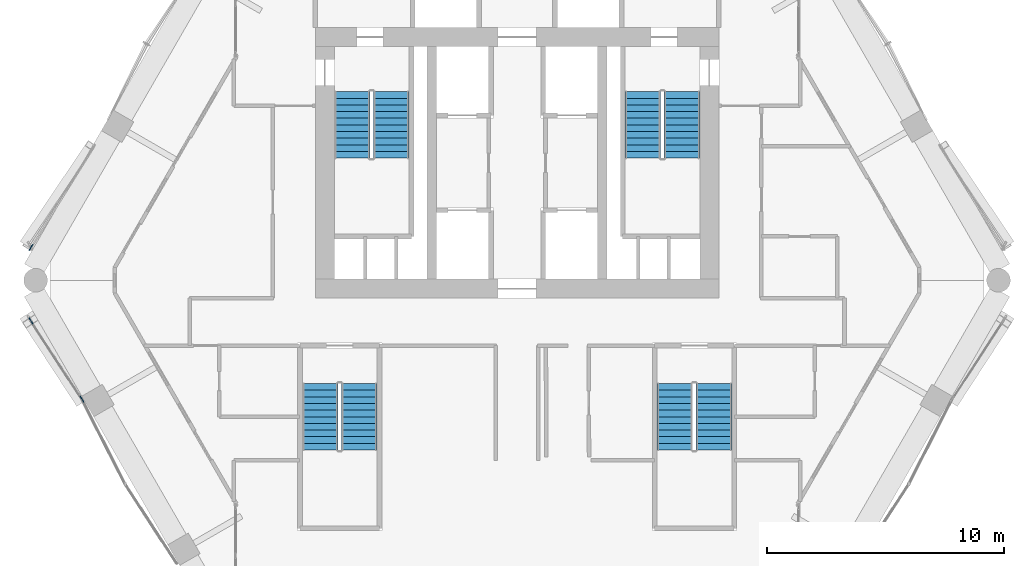
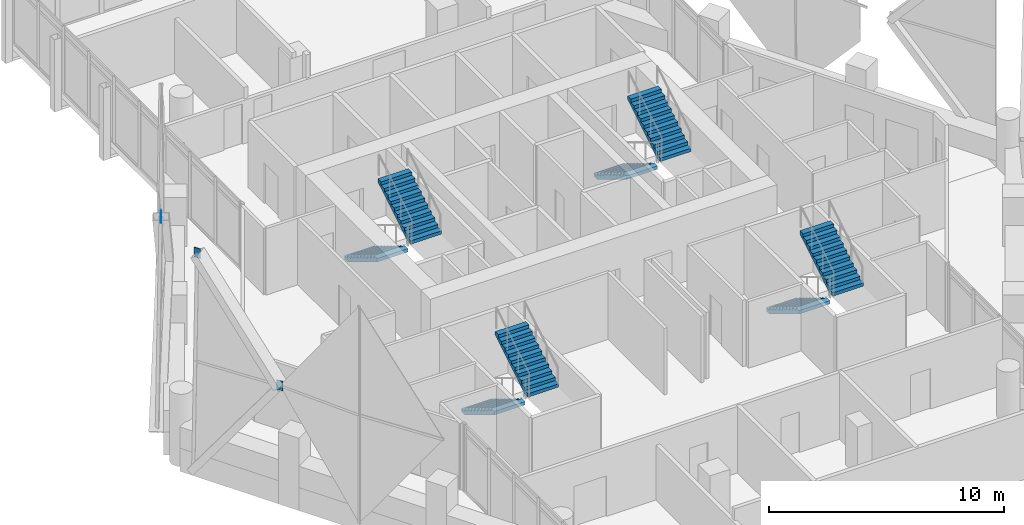
# One storey, part 33 of 37: 8 stair flights, 3 discrete accessories, 4 elements without a shape of their own.
"""IFC4 building model written with IfcOpenShell, lengths in metres."""

import ifcopenshell
import ifcopenshell.guid

model = None  # the IFC model being written
_history = None  # IfcOwnerHistory: only IFC2X3 demands one
_inside = {}  # id of a spatial element -> (the spatial element, [elements in it])
_under = {}  # id of a project, library or spatial element -> (it, [spatial elements below it])
_declared = {}  # id of a project -> (the project, [libraries it declares])
_typed = {}  # id of a type object -> (the type object, [elements of that type])
_made_of = {}  # id of a material, layer set ... -> (it, [elements and type objects made of it])


def new_model(schema):
    """Start an empty IFC model of exactly this schema.

    Asked for "IFC4X3", IfcOpenShell would pick the latest addendum, in which some entities
    have other attributes; the version numbers below select the first issue.
    IFC2X3 requires an IfcOwnerHistory on every rooted entity: one is made here for all.
    """
    global model, _history
    if schema == "IFC4X3":
        model = ifcopenshell.file(schema_version=(4, 3, 0, 0))
    else:
        model = ifcopenshell.file(schema=schema)
    _inside.clear()
    _under.clear()
    _declared.clear()
    _typed.clear()
    _made_of.clear()
    _history = None
    if model.schema == "IFC2X3":
        org = make("IfcOrganization", Name="unknown")
        user = make(
            "IfcPersonAndOrganization",
            ThePerson=make("IfcPerson", FamilyName="unknown"),
            TheOrganization=org,
        )
        app = make(
            "IfcApplication",
            ApplicationDeveloper=org,
            Version="unknown",
            ApplicationFullName="unknown",
            ApplicationIdentifier="unknown",
        )
        _history = make(
            "IfcOwnerHistory",
            OwningUser=user,
            OwningApplication=app,
            ChangeAction="ADDED",
            CreationDate=0,
        )
    return model


def make(cls, **values):
    """One entity of the class cls with the attributes given. An attribute that is None is left unset."""
    return model.create_entity(
        cls, **{name: value for name, value in values.items() if value is not None}
    )


def rooted(cls, **values):
    """An entity with a GlobalId (a new one), such as an element, a storey or a relation."""
    return make(cls, GlobalId=ifcopenshell.guid.new(), OwnerHistory=_history, **values)


def si_unit(unit_type, name, prefix=None):
    """IfcSIUnit, for example si_unit("LENGTHUNIT", "METRE", prefix="MILLI")."""
    return make("IfcSIUnit", UnitType=unit_type, Prefix=prefix, Name=name)


def assignment(units):
    """IfcUnitAssignment: the units of a project."""
    return None if units is None else make("IfcUnitAssignment", Units=units)


def point(xyz):
    """IfcCartesianPoint."""
    return None if xyz is None else make("IfcCartesianPoint", Coordinates=xyz)


def direction(xyz):
    """IfcDirection."""
    return None if xyz is None else make("IfcDirection", DirectionRatios=xyz)


def frame(location, z_axis=None, x_axis=None):
    """IfcAxis2Placement3D, a coordinate frame: its origin and axes. An axis left out is left unset."""
    return make(
        "IfcAxis2Placement3D",
        Location=point(location),
        Axis=direction(z_axis),
        RefDirection=direction(x_axis),
    )


def frame_2d(location, x_axis=None):
    """IfcAxis2Placement2D, a coordinate frame in the plane: its origin and x axis."""
    return make(
        "IfcAxis2Placement2D", Location=point(location), RefDirection=direction(x_axis)
    )


def origin():
    """The frame at (0, 0, 0) with its axes left unset."""
    return frame((0.0, 0.0, 0.0))


def origin_2d():
    """The frame at (0, 0) in the plane with its x axis left unset."""
    return frame_2d((0.0, 0.0))


def place(relative_to, where):
    """IfcLocalPlacement: puts the frame where relative to a parent placement (None: the world)."""
    return make(
        "IfcLocalPlacement", PlacementRelTo=relative_to, RelativePlacement=where
    )


def context(
    kind, dimensions, precision=None, world=None, true_north=None, identifier=None
):
    """IfcGeometricRepresentationContext, for example the 3D "Model" context."""
    return make(
        "IfcGeometricRepresentationContext",
        ContextIdentifier=identifier,
        ContextType=kind,
        CoordinateSpaceDimension=dimensions,
        Precision=precision,
        WorldCoordinateSystem=world,
        TrueNorth=true_north,
    )


def subcontext(parent, identifier, kind, view, scale=None):
    """IfcGeometricRepresentationSubContext, for example "Body" below "Model"."""
    return make(
        "IfcGeometricRepresentationSubContext",
        ContextIdentifier=identifier,
        ContextType=kind,
        ParentContext=parent,
        TargetScale=scale,
        TargetView=view,
    )


def project(units=None, contexts=None):
    """IfcProject with its units and contexts."""
    return rooted(
        "IfcProject",
        Name="project",
        RepresentationContexts=contexts,
        UnitsInContext=assignment(units),
    )


def spatial(cls, under=None, at=None, **own):
    """A site, building, storey or space (cls), placed at a placement, below another one or the project."""
    s = rooted(cls, ObjectPlacement=at, **own)
    if under is not None:
        _under.setdefault(under.id(), (under, []))[1].append(s)
    return s


def polyline(points):
    """IfcPolyline through the points."""
    return make("IfcPolyline", Points=[point(p) for p in points])


def profile(cls, at=None, kind="AREA", **sizes):
    """A parametric profile (cls). Its sizes go by their IFC names, for example OverallWidth=200.0."""
    return make(cls, ProfileType=kind, Position=at, **sizes)


def rectangle(**sizes):
    """IfcRectangleProfileDef."""
    return profile("IfcRectangleProfileDef", **sizes)


def outline(outer, holes=None, kind="AREA"):
    """IfcArbitraryClosedProfileDef: a profile drawn as a closed curve; with holes, ...WithVoids."""
    if holes is None:
        return make("IfcArbitraryClosedProfileDef", ProfileType=kind, OuterCurve=outer)
    return make(
        "IfcArbitraryProfileDefWithVoids",
        ProfileType=kind,
        OuterCurve=outer,
        InnerCurves=holes,
    )


def extrude(swept, where, along, depth):
    """IfcExtrudedAreaSolid: the profile swept, set in the frame where, extruded along a direction by depth."""
    return make(
        "IfcExtrudedAreaSolid",
        SweptArea=swept,
        Position=where,
        ExtrudedDirection=direction(along),
        Depth=depth,
    )


def shape(context_of_items, identifier, shape_type, items):
    """IfcShapeRepresentation: the items that make up one representation, for example the "Body"."""
    return make(
        "IfcShapeRepresentation",
        ContextOfItems=context_of_items,
        RepresentationIdentifier=identifier,
        RepresentationType=shape_type,
        Items=items,
    )


def material(Name=None, Category=None):
    """IfcMaterial."""
    return make("IfcMaterial", Name=Name, Category=Category)


def layer(
    of_material, thickness, ventilated=None, Name=None, Category=None, Priority=None
):
    """IfcMaterialLayer: one layer of a wall or slab, of a material (None: an air gap)."""
    return make(
        "IfcMaterialLayer",
        Material=of_material,
        LayerThickness=thickness,
        IsVentilated=ventilated,
        Name=Name,
        Category=Category,
        Priority=Priority,
    )


def layer_set(layers, Name=None):
    """IfcMaterialLayerSet."""
    return make("IfcMaterialLayerSet", MaterialLayers=layers, LayerSetName=Name)


def made_of(thing, what):
    """Note that an element or type object is made of a material, layer set ...; save() writes the relation."""
    if what is not None:
        _made_of.setdefault(what.id(), (what, []))[1].append(thing)
    return thing


def type_object(cls, material=None, **own):
    """A type object (cls), such as IfcWallType, which elements share."""
    return made_of(rooted(cls, **own), material)


def element(
    cls,
    number,
    at=None,
    inside=None,
    cuts=None,
    type_object=None,
    material=None,
    context=None,
    identifier="Body",
    shape_type=None,
    held_by="IfcProductDefinitionShape",
    body=None,
    shapes=None,
    **own,
):
    """One element of the class cls, such as IfcWall. Its Tag is "e" and its number.

    at: its placement. inside: the storey or other place that contains it. cuts: it is an
    opening in that element (IfcRelVoidsElement). A single representation is given by context,
    identifier, shape_type and body (its items); several are given by shapes. held_by: the class
    of the entity that holds the representations. save() writes the other relations.
    """
    e = rooted(cls, Tag="e%d" % number, ObjectPlacement=at, **own)
    if body is not None:
        shapes = [shape(context, identifier, shape_type, body)]
    if shapes is not None:
        e.Representation = make(held_by, Representations=shapes)
    if inside is not None:
        _inside.setdefault(inside.id(), (inside, []))[1].append(e)
    if cuts is not None:
        rooted(
            "IfcRelVoidsElement", RelatingBuildingElement=cuts, RelatedOpeningElement=e
        )
    if type_object is not None:
        _typed.setdefault(type_object.id(), (type_object, []))[1].append(e)
    return made_of(e, material)


def aggregate(whole, parts):
    """IfcRelAggregates: a whole, such as a stair, and the parts it consists of."""
    return rooted("IfcRelAggregates", RelatingObject=whole, RelatedObjects=parts)


def save(model, path):
    """Write the relations noted so far, then the file.

    IfcRelAggregates (storeys below a building ...), IfcRelContainedInSpatialStructure (elements
    in a storey), IfcRelDefinesByType, IfcRelAssociatesMaterial and IfcRelDeclares: one each for
    every whole, place, type object, material and project.
    """
    for whole, parts in _under.values():
        aggregate(whole, parts)
    for where, things in _inside.values():
        rooted(
            "IfcRelContainedInSpatialStructure",
            RelatedElements=things,
            RelatingStructure=where,
        )
    for kind, things in _typed.values():
        rooted("IfcRelDefinesByType", RelatedObjects=things, RelatingType=kind)
    for what, things in _made_of.values():
        rooted("IfcRelAssociatesMaterial", RelatedObjects=things, RelatingMaterial=what)
    for by, libraries in _declared.values():
        rooted("IfcRelDeclares", RelatingContext=by, RelatedDefinitions=libraries)
    model.write(path)


model = new_model("IFC4")

# Units and contexts
model_context = context("Model", 3, precision=1e-05, world=origin(), true_north=direction((0.0, 1.0)))
body_context = subcontext(model_context, "Body", "Model", "MODEL_VIEW")
ifc_project = project(units=[si_unit("LENGTHUNIT", "METRE"), si_unit("AREAUNIT", "SQUARE_METRE"), si_unit("VOLUMEUNIT", "CUBIC_METRE"), si_unit("PLANEANGLEUNIT", "RADIAN"), si_unit("MASSUNIT", "GRAM", prefix="KILO")], contexts=[model_context])

# Site, building, storey
site_placement = place(None, origin())
site = spatial("IfcSite", under=ifc_project, at=site_placement, CompositionType="ELEMENT")
building_placement = place(site_placement, origin())
building = spatial("IfcBuilding", under=site, at=building_placement, Name="Ostrander Bayou Hotel Tower", CompositionType="ELEMENT")
storey_placement = place(building_placement, frame((0.0, 0.0, 198.25)))
storey = spatial("IfcBuildingStorey", under=building, at=storey_placement, Name="L49", CompositionType="ELEMENT", Elevation=198.25)

# Stair, stair flights
ifc_material_1 = material(Name="Concrete f'c 45 MPa", Category="concrete")
stair_type = type_object("IfcStairType", Name="ST1 exit stair 1500 mm f'c 45 MPa", PredefinedType="HALF_TURN_STAIR", material=ifc_material_1)
stair_1_placement = place(storey_placement, origin())
stair_1 = element("IfcStair", 1, at=stair_1_placement, inside=storey, type_object=stair_type, Name="L49 exit stair A", PredefinedType="HALF_TURN_STAIR")
ifc_material_2 = material(Name="Concrete f'c 45 MPa", Category="concrete")
stair_flight_type = type_object("IfcStairFlightType", Name="SF1 stair flight 1500 mm f'c 45 MPa", PredefinedType="STRAIGHT", material=ifc_material_2)
stair_flight_1_placement = place(storey_placement, frame((-6.949951171875, 7.0, 0.0), z_axis=(0.0, 0.0, 1.0), x_axis=(0.0, -1.0, 0.0)))
stair_flight_1 = element("IfcStairFlight", 2, at=stair_flight_1_placement, type_object=stair_flight_type, Name="STA flight 1", NumberOfRisers=11, NumberOfTreads=10, PredefinedType="STRAIGHT", RiserHeight=0.170454545, TreadLength=0.28, context=body_context, shape_type="SweptSolid", body=[
    extrude(outline(polyline([(0.0, 0.0), (0.0, 0.17041015625), (0.280029296875, 0.17041015625), (0.280029296875, 0.3408203125), (0.56005859375, 0.3408203125), (0.56005859375, 0.511474609375), (0.840087890625, 0.511474609375), (0.840087890625, 0.681884765625), (1.1201171875, 0.681884765625), (1.1201171875, 0.852294921875), (1.39990234375, 0.852294921875), (1.39990234375, 1.022705078125), (1.679931640625, 1.022705078125), (1.679931640625, 1.193115234375), (1.9599609375, 1.193115234375), (1.9599609375, 1.363525390625), (2.239990234375, 1.363525390625), (2.239990234375, 1.5341796875), (2.52001953125, 1.5341796875), (2.52001953125, 1.70458984375), (2.800048828125, 1.70458984375), (2.800048828125, 1.875), (2.800048828125, 1.529052734375), (0.288330078125, 0.0), (0.0, 0.0)])), frame((0.0, 0.75, 0.0), z_axis=(0.0, -1.0, 0.0), x_axis=(1.0, 0.0, 0.0)), (0.0, 0.0, 1.0), 1.5),
])
stair_flight_2_placement = place(storey_placement, frame((-5.300048828125, 4.199951171875, 1.875), z_axis=(0.0, 0.0, 1.0), x_axis=(0.0, 1.0, 0.0)))
stair_flight_2 = element("IfcStairFlight", 3, at=stair_flight_2_placement, type_object=stair_flight_type, Name="STA flight 2", NumberOfRisers=11, NumberOfTreads=10, PredefinedType="STRAIGHT", RiserHeight=0.170454545, TreadLength=0.28, context=body_context, shape_type="SweptSolid", body=[
    extrude(outline(polyline([(0.0, 0.0), (0.0, 0.17041015625), (0.280029296875, 0.17041015625), (0.280029296875, 0.3408203125), (0.56005859375, 0.3408203125), (0.56005859375, 0.511474609375), (0.840087890625, 0.511474609375), (0.840087890625, 0.681884765625), (1.1201171875, 0.681884765625), (1.1201171875, 0.852294921875), (1.39990234375, 0.852294921875), (1.39990234375, 1.022705078125), (1.679931640625, 1.022705078125), (1.679931640625, 1.193115234375), (1.9599609375, 1.193115234375), (1.9599609375, 1.363525390625), (2.239990234375, 1.363525390625), (2.239990234375, 1.5341796875), (2.52001953125, 1.5341796875), (2.52001953125, 1.70458984375), (2.800048828125, 1.70458984375), (2.800048828125, 1.875), (2.800048828125, 1.529052734375), (0.288330078125, 0.0), (0.0, 0.0)])), frame((0.0, 0.75, 0.0), z_axis=(0.0, -1.0, 0.0), x_axis=(1.0, 0.0, 0.0)), (0.0, 0.0, 1.0), 1.5),
])
aggregate(stair_1, [stair_flight_1, stair_flight_2])

stair_2_placement = place(storey_placement, origin())
stair_2 = element("IfcStair", 4, at=stair_2_placement, inside=storey, type_object=stair_type, Name="L49 exit stair B", PredefinedType="HALF_TURN_STAIR")
stair_flight_3_placement = place(storey_placement, frame((5.300048828125, 7.0, 0.0), z_axis=(0.0, 0.0, 1.0), x_axis=(0.0, -1.0, 0.0)))
stair_flight_3 = element("IfcStairFlight", 5, at=stair_flight_3_placement, type_object=stair_flight_type, Name="STB flight 1", NumberOfRisers=11, NumberOfTreads=10, PredefinedType="STRAIGHT", RiserHeight=0.170454545, TreadLength=0.28, context=body_context, shape_type="SweptSolid", body=[
    extrude(outline(polyline([(0.0, 0.0), (0.0, 0.17041015625), (0.280029296875, 0.17041015625), (0.280029296875, 0.3408203125), (0.56005859375, 0.3408203125), (0.56005859375, 0.511474609375), (0.840087890625, 0.511474609375), (0.840087890625, 0.681884765625), (1.1201171875, 0.681884765625), (1.1201171875, 0.852294921875), (1.39990234375, 0.852294921875), (1.39990234375, 1.022705078125), (1.679931640625, 1.022705078125), (1.679931640625, 1.193115234375), (1.9599609375, 1.193115234375), (1.9599609375, 1.363525390625), (2.239990234375, 1.363525390625), (2.239990234375, 1.5341796875), (2.52001953125, 1.5341796875), (2.52001953125, 1.70458984375), (2.800048828125, 1.70458984375), (2.800048828125, 1.875), (2.800048828125, 1.529052734375), (0.288330078125, 0.0), (0.0, 0.0)])), frame((0.0, 0.75, 0.0), z_axis=(0.0, -1.0, 0.0), x_axis=(1.0, 0.0, 0.0)), (0.0, 0.0, 1.0), 1.5),
])
stair_flight_4_placement = place(storey_placement, frame((6.949951171875, 4.199951171875, 1.875), z_axis=(0.0, 0.0, 1.0), x_axis=(0.0, 1.0, 0.0)))
stair_flight_4 = element("IfcStairFlight", 6, at=stair_flight_4_placement, type_object=stair_flight_type, Name="STB flight 2", NumberOfRisers=11, NumberOfTreads=10, PredefinedType="STRAIGHT", RiserHeight=0.170454545, TreadLength=0.28, context=body_context, shape_type="SweptSolid", body=[
    extrude(outline(polyline([(0.0, 0.0), (0.0, 0.17041015625), (0.280029296875, 0.17041015625), (0.280029296875, 0.3408203125), (0.56005859375, 0.3408203125), (0.56005859375, 0.511474609375), (0.840087890625, 0.511474609375), (0.840087890625, 0.681884765625), (1.1201171875, 0.681884765625), (1.1201171875, 0.852294921875), (1.39990234375, 0.852294921875), (1.39990234375, 1.022705078125), (1.679931640625, 1.022705078125), (1.679931640625, 1.193115234375), (1.9599609375, 1.193115234375), (1.9599609375, 1.363525390625), (2.239990234375, 1.363525390625), (2.239990234375, 1.5341796875), (2.52001953125, 1.5341796875), (2.52001953125, 1.70458984375), (2.800048828125, 1.70458984375), (2.800048828125, 1.875), (2.800048828125, 1.529052734375), (0.288330078125, 0.0), (0.0, 0.0)])), frame((0.0, 0.75, 0.0), z_axis=(0.0, -1.0, 0.0), x_axis=(1.0, 0.0, 0.0)), (0.0, 0.0, 1.0), 1.5),
])
aggregate(stair_2, [stair_flight_3, stair_flight_4])

stair_3_placement = place(storey_placement, origin())
stair_3 = element("IfcStair", 7, at=stair_3_placement, inside=storey, type_object=stair_type, Name="L49 exit stair C", PredefinedType="HALF_TURN_STAIR")
stair_flight_5_placement = place(storey_placement, frame((6.64990234375, -5.300048828125, 0.0), z_axis=(0.0, 0.0, 1.0), x_axis=(0.0, -1.0, 0.0)))
stair_flight_5 = element("IfcStairFlight", 8, at=stair_flight_5_placement, type_object=stair_flight_type, Name="STC flight 1", NumberOfRisers=11, NumberOfTreads=10, PredefinedType="STRAIGHT", RiserHeight=0.170454545, TreadLength=0.28, context=body_context, shape_type="SweptSolid", body=[
    extrude(outline(polyline([(0.0, 0.0), (0.0, 0.17041015625), (0.280029296875, 0.17041015625), (0.280029296875, 0.3408203125), (0.56005859375, 0.3408203125), (0.56005859375, 0.511474609375), (0.840087890625, 0.511474609375), (0.840087890625, 0.681884765625), (1.1201171875, 0.681884765625), (1.1201171875, 0.852294921875), (1.39990234375, 0.852294921875), (1.39990234375, 1.022705078125), (1.679931640625, 1.022705078125), (1.679931640625, 1.193115234375), (1.9599609375, 1.193115234375), (1.9599609375, 1.363525390625), (2.239990234375, 1.363525390625), (2.239990234375, 1.5341796875), (2.52001953125, 1.5341796875), (2.52001953125, 1.70458984375), (2.800048828125, 1.70458984375), (2.800048828125, 1.875), (2.800048828125, 1.529052734375), (0.288330078125, 0.0), (0.0, 0.0)])), frame((0.0, 0.75, 0.0), z_axis=(0.0, -1.0, 0.0), x_axis=(1.0, 0.0, 0.0)), (0.0, 0.0, 1.0), 1.5),
])
stair_flight_6_placement = place(storey_placement, frame((8.300048828125, -8.10009765625, 1.875), z_axis=(0.0, 0.0, 1.0), x_axis=(0.0, 1.0, 0.0)))
stair_flight_6 = element("IfcStairFlight", 9, at=stair_flight_6_placement, type_object=stair_flight_type, Name="STC flight 2", NumberOfRisers=11, NumberOfTreads=10, PredefinedType="STRAIGHT", RiserHeight=0.170454545, TreadLength=0.28, context=body_context, shape_type="SweptSolid", body=[
    extrude(outline(polyline([(0.0, 0.0), (0.0, 0.17041015625), (0.280029296875, 0.17041015625), (0.280029296875, 0.3408203125), (0.56005859375, 0.3408203125), (0.56005859375, 0.511474609375), (0.840087890625, 0.511474609375), (0.840087890625, 0.681884765625), (1.1201171875, 0.681884765625), (1.1201171875, 0.852294921875), (1.39990234375, 0.852294921875), (1.39990234375, 1.022705078125), (1.679931640625, 1.022705078125), (1.679931640625, 1.193115234375), (1.9599609375, 1.193115234375), (1.9599609375, 1.363525390625), (2.239990234375, 1.363525390625), (2.239990234375, 1.5341796875), (2.52001953125, 1.5341796875), (2.52001953125, 1.70458984375), (2.800048828125, 1.70458984375), (2.800048828125, 1.875), (2.800048828125, 1.529052734375), (0.288330078125, 0.0), (0.0, 0.0)])), frame((0.0, 0.75, 0.0), z_axis=(0.0, -1.0, 0.0), x_axis=(1.0, 0.0, 0.0)), (0.0, 0.0, 1.0), 1.5),
])
aggregate(stair_3, [stair_flight_5, stair_flight_6])

stair_4_placement = place(storey_placement, origin())
stair_4 = element("IfcStair", 10, at=stair_4_placement, inside=storey, type_object=stair_type, Name="L49 exit stair D", PredefinedType="HALF_TURN_STAIR")
stair_flight_7_placement = place(storey_placement, frame((-8.300048828125, -5.300048828125, 0.0), z_axis=(0.0, 0.0, 1.0), x_axis=(0.0, -1.0, 0.0)))
stair_flight_7 = element("IfcStairFlight", 11, at=stair_flight_7_placement, type_object=stair_flight_type, Name="STD flight 1", NumberOfRisers=11, NumberOfTreads=10, PredefinedType="STRAIGHT", RiserHeight=0.170454545, TreadLength=0.28, context=body_context, shape_type="SweptSolid", body=[
    extrude(outline(polyline([(0.0, 0.0), (0.0, 0.17041015625), (0.280029296875, 0.17041015625), (0.280029296875, 0.3408203125), (0.56005859375, 0.3408203125), (0.56005859375, 0.511474609375), (0.840087890625, 0.511474609375), (0.840087890625, 0.681884765625), (1.1201171875, 0.681884765625), (1.1201171875, 0.852294921875), (1.39990234375, 0.852294921875), (1.39990234375, 1.022705078125), (1.679931640625, 1.022705078125), (1.679931640625, 1.193115234375), (1.9599609375, 1.193115234375), (1.9599609375, 1.363525390625), (2.239990234375, 1.363525390625), (2.239990234375, 1.5341796875), (2.52001953125, 1.5341796875), (2.52001953125, 1.70458984375), (2.800048828125, 1.70458984375), (2.800048828125, 1.875), (2.800048828125, 1.529052734375), (0.288330078125, 0.0), (0.0, 0.0)])), frame((0.0, 0.75, 0.0), z_axis=(0.0, -1.0, 0.0), x_axis=(1.0, 0.0, 0.0)), (0.0, 0.0, 1.0), 1.5),
])
stair_flight_8_placement = place(storey_placement, frame((-6.64990234375, -8.10009765625, 1.875), z_axis=(0.0, 0.0, 1.0), x_axis=(0.0, 1.0, 0.0)))
stair_flight_8 = element("IfcStairFlight", 12, at=stair_flight_8_placement, type_object=stair_flight_type, Name="STD flight 2", NumberOfRisers=11, NumberOfTreads=10, PredefinedType="STRAIGHT", RiserHeight=0.170454545, TreadLength=0.28, context=body_context, shape_type="SweptSolid", body=[
    extrude(outline(polyline([(0.0, 0.0), (0.0, 0.17041015625), (0.280029296875, 0.17041015625), (0.280029296875, 0.3408203125), (0.56005859375, 0.3408203125), (0.56005859375, 0.511474609375), (0.840087890625, 0.511474609375), (0.840087890625, 0.681884765625), (1.1201171875, 0.681884765625), (1.1201171875, 0.852294921875), (1.39990234375, 0.852294921875), (1.39990234375, 1.022705078125), (1.679931640625, 1.022705078125), (1.679931640625, 1.193115234375), (1.9599609375, 1.193115234375), (1.9599609375, 1.363525390625), (2.239990234375, 1.363525390625), (2.239990234375, 1.5341796875), (2.52001953125, 1.5341796875), (2.52001953125, 1.70458984375), (2.800048828125, 1.70458984375), (2.800048828125, 1.875), (2.800048828125, 1.529052734375), (0.288330078125, 0.0), (0.0, 0.0)])), frame((0.0, 0.75, 0.0), z_axis=(0.0, -1.0, 0.0), x_axis=(1.0, 0.0, 0.0)), (0.0, 0.0, 1.0), 1.5),
])
aggregate(stair_4, [stair_flight_7, stair_flight_8])

# Discrete accessories
ifc_material_3 = material(Name="Steel ASTM A572 Gr 50", Category="steel")
ifc_layer = layer(ifc_material_3, 0.030029296875)
ifc_layer_set = layer_set([ifc_layer], Name="GP1 gusset plate 30 mm")
discrete_accessory_type = type_object("IfcDiscreteAccessoryType", Name="GP1 gusset plate 30 mm", PredefinedType="BRACKET", material=ifc_layer_set)
for number, where, z_axis, x_axis, name in (
    (13, (-20.48193359375, 0.438720703125, 10.39990234375), (0.0, 0.0, 1.0), (-0.5, -0.866025403784, 0.0), "GP1 gusset plate lat 310"),
    (14, (-18.337890625, -5.952392578125, 4.77490234375), (0.0, 0.0, 1.0), (0.5, -0.866025403784, 0.0), "GP1 gusset plate lat 311"),
    (15, (-20.48193359375, -2.664306640625, 10.39990234375), (0.0, 0.0, 1.0), (0.5, -0.866025403784, 0.0), "GP1 gusset plate lat 312"),
):
    element("IfcDiscreteAccessory", number, at=place(storey_placement, frame(where, z_axis=z_axis, x_axis=x_axis)), inside=storey, type_object=discrete_accessory_type, Name=name, PredefinedType="BRACKET", context=body_context, shape_type="SweptSolid", body=[
        extrude(rectangle(XDim=0.300048828125, YDim=0.030029296875, at=origin_2d()), origin(), (0.0, 0.0, 1.0), 0.5),
    ])

save(model, "model.ifc")
